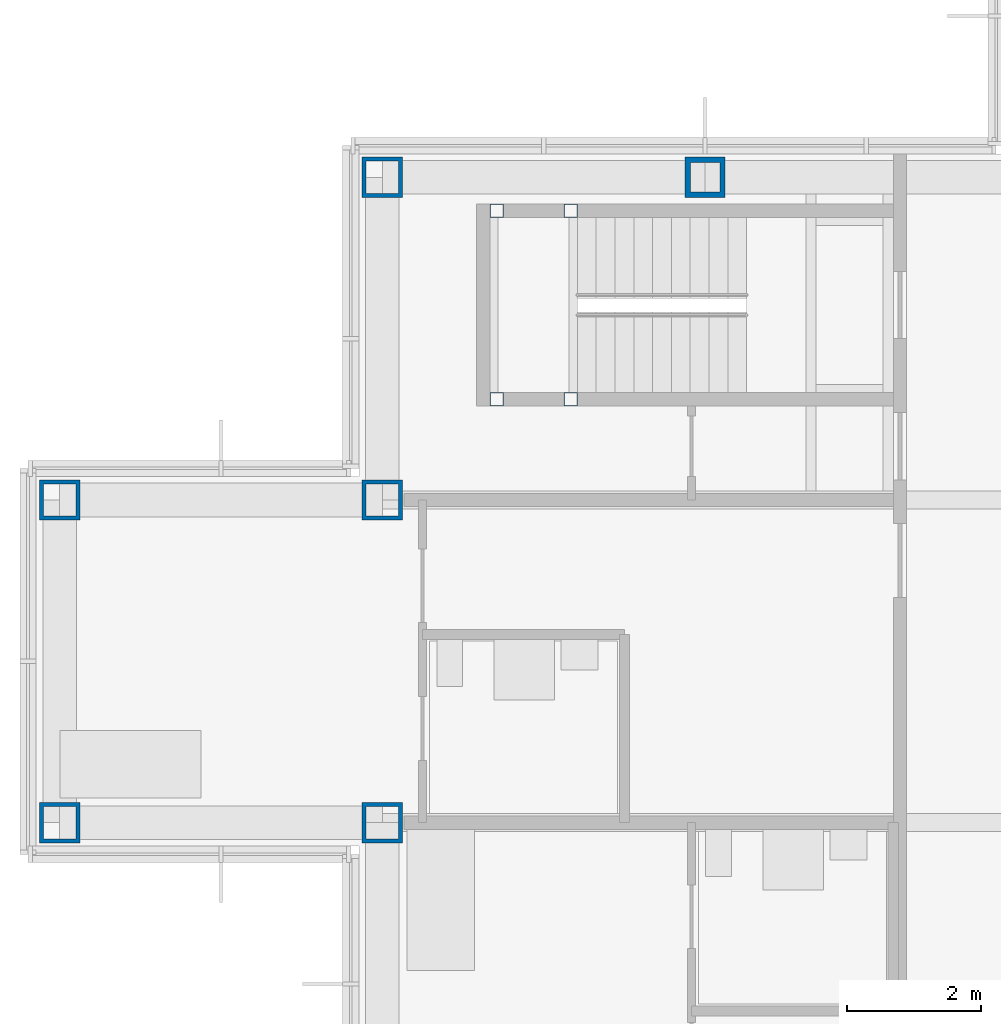
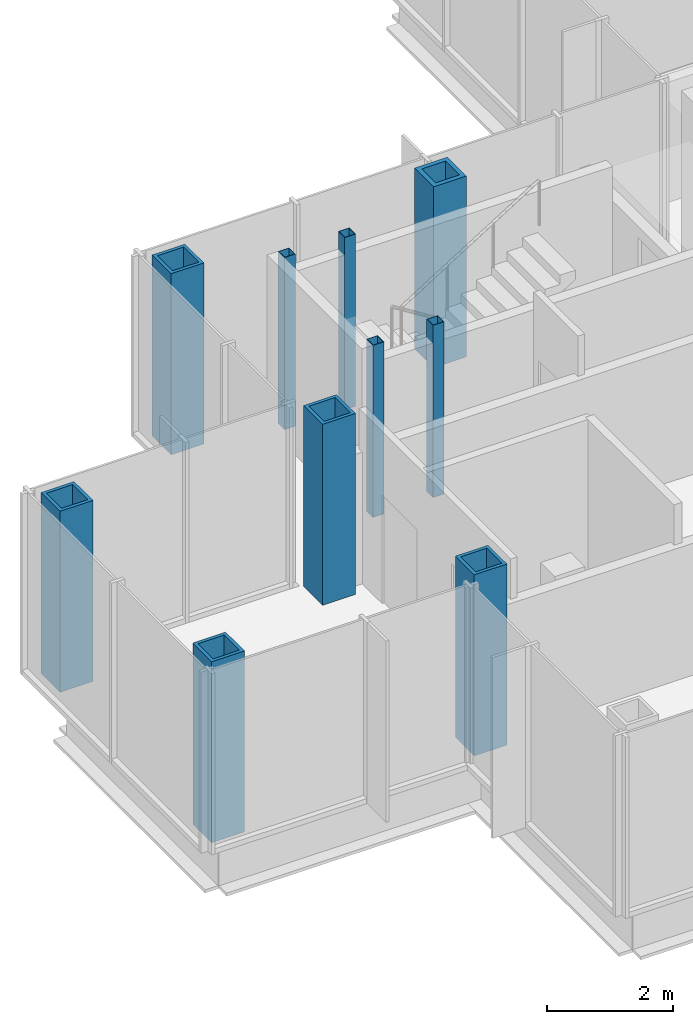
# One storey, part 3 of 17: 10 columns.
"""IFC4 building model written with IfcOpenShell, lengths in metres."""

from ifc_helpers import new_model, si_unit, direction, frame, origin, origin_2d, place, context, subcontext, project, spatial, hollow_rectangle, extrude, material, material_profile, profile_set, type_object, element, save


model = new_model("IFC4")

# Units and contexts
model_context = context("Model", 3, precision=1e-05, world=origin(), true_north=direction((0.0, 1.0)))
body_context = subcontext(model_context, "Body", "Model", "MODEL_VIEW")
ifc_project = project(units=[si_unit("LENGTHUNIT", "METRE"), si_unit("AREAUNIT", "SQUARE_METRE"), si_unit("VOLUMEUNIT", "CUBIC_METRE"), si_unit("PLANEANGLEUNIT", "RADIAN"), si_unit("MASSUNIT", "GRAM", prefix="KILO")], contexts=[model_context])

# Site, building, storey
site_placement = place(None, origin())
site = spatial("IfcSite", under=ifc_project, at=site_placement, CompositionType="ELEMENT")
building_placement = place(site_placement, origin())
building = spatial("IfcBuilding", under=site, at=building_placement, Name="Kvirike Care Tower", CompositionType="ELEMENT")
storey_placement = place(building_placement, frame((0.0, 0.0, 162.0)))
storey = spatial("IfcBuildingStorey", under=building, at=storey_placement, Name="L44", CompositionType="ELEMENT", Elevation=162.0)

# Columns
ifc_material_1 = material(Name="Steel S460", Category="steel")
ifc_material_profile_1 = material_profile(ifc_material_1, hollow_rectangle(XDim=0.60009765625, YDim=0.60009765625, WallThickness=0.06005859375, at=origin_2d()), Name="BX 600x600x60")
ifc_profile_set_1 = profile_set([ifc_material_profile_1], Name="Steel S460")
column_type_1 = type_object("IfcColumnType", Name="COLUMN BX 600x600x60", PredefinedType="COLUMN", material=ifc_profile_set_1)
for number, where, z_axis, x_axis, name in (
    (1, (0.0, 33.60009765625, 0.0), (0.0, 0.0, 1.0), (0.0, 1.0, 0.0), "Column H3 L44"),
    (2, (0.0, 38.39990234375, 0.0), (0.0, 0.0, 1.0), (0.0, 1.0, 0.0), "Column J3 L44"),
    (3, (4.800048828125, 33.60009765625, 0.0), (0.0, 0.0, 1.0), (0.0, 1.0, 0.0), "Column H4 L44"),
    (4, (4.800048828125, 38.39990234375, 0.0), (0.0, 0.0, 1.0), (0.0, 1.0, 0.0), "Column J4 L44"),
    (5, (4.800048828125, 43.199951171875, 0.0), (0.0, 0.0, 1.0), (0.0, 1.0, 0.0), "Column K4 L44"),
):
    element("IfcColumn", number, at=place(storey_placement, frame(where, z_axis=z_axis, x_axis=x_axis)), inside=storey, type_object=column_type_1, Name=name, PredefinedType="COLUMN", context=body_context, shape_type="SweptSolid", body=[
        extrude(hollow_rectangle(XDim=0.60009765625, YDim=0.60009765625, WallThickness=0.06005859375, at=origin_2d()), origin(), (0.0, 0.0, 1.0), 3.5),
    ])
ifc_material_2 = material(Name="Steel S460", Category="steel")
ifc_material_profile_2 = material_profile(ifc_material_2, hollow_rectangle(XDim=0.60009765625, YDim=0.60009765625, WallThickness=0.080078125, at=origin_2d()), Name="BX 600x600x80")
ifc_profile_set_2 = profile_set([ifc_material_profile_2], Name="Steel S460")
column_type_2 = type_object("IfcColumnType", Name="COLUMN BX 600x600x80", PredefinedType="COLUMN", material=ifc_profile_set_2)
column_placement = place(storey_placement, frame((9.60009765625, 43.199951171875, 0.0), z_axis=(0.0, 0.0, 1.0), x_axis=(0.0, 1.0, 0.0)))
element("IfcColumn", 6, at=column_placement, inside=storey, type_object=column_type_2, Name="Column K5 L44", PredefinedType="COLUMN", context=body_context, shape_type="SweptSolid", body=[
    extrude(hollow_rectangle(XDim=0.60009765625, YDim=0.60009765625, WallThickness=0.080078125, at=origin_2d()), origin(), (0.0, 0.0, 1.0), 3.5),
])
ifc_material_3 = material(Name="Steel S460", Category="steel")
ifc_material_profile_3 = material_profile(ifc_material_3, hollow_rectangle(XDim=0.199951171875, YDim=0.199951171875, WallThickness=0.008056640625, at=origin_2d()), Name="SHS 200x200x8")
ifc_profile_set_3 = profile_set([ifc_material_profile_3], Name="Steel S460")
column_type_3 = type_object("IfcColumnType", Name="STAIR POST SHS 200x200x8", PredefinedType="COLUMN", material=ifc_profile_set_3)
for number, where, z_axis, x_axis, name in (
    (7, (6.5, 42.699951171875, 0.0), (0.0, 0.0, 1.0), (1.0, 0.0, 0.0), "Stair 1 post 1 L44"),
    (8, (6.5, 39.89990234375, 0.0), (0.0, 0.0, 1.0), (1.0, 0.0, 0.0), "Stair 1 post 2 L44"),
    (9, (7.60009765625, 42.699951171875, 0.0), (0.0, 0.0, 1.0), (1.0, 0.0, 0.0), "Stair 1 post 3 L44"),
    (10, (7.60009765625, 39.89990234375, 0.0), (0.0, 0.0, 1.0), (1.0, 0.0, 0.0), "Stair 1 post 4 L44"),
):
    element("IfcColumn", number, at=place(storey_placement, frame(where, z_axis=z_axis, x_axis=x_axis)), inside=storey, type_object=column_type_3, Name=name, PredefinedType="COLUMN", context=body_context, shape_type="SweptSolid", body=[
        extrude(hollow_rectangle(XDim=0.199951171875, YDim=0.199951171875, WallThickness=0.008056640625, at=origin_2d()), origin(), (0.0, 0.0, 1.0), 3.330078125),
    ])

save(model, "model.ifc")
